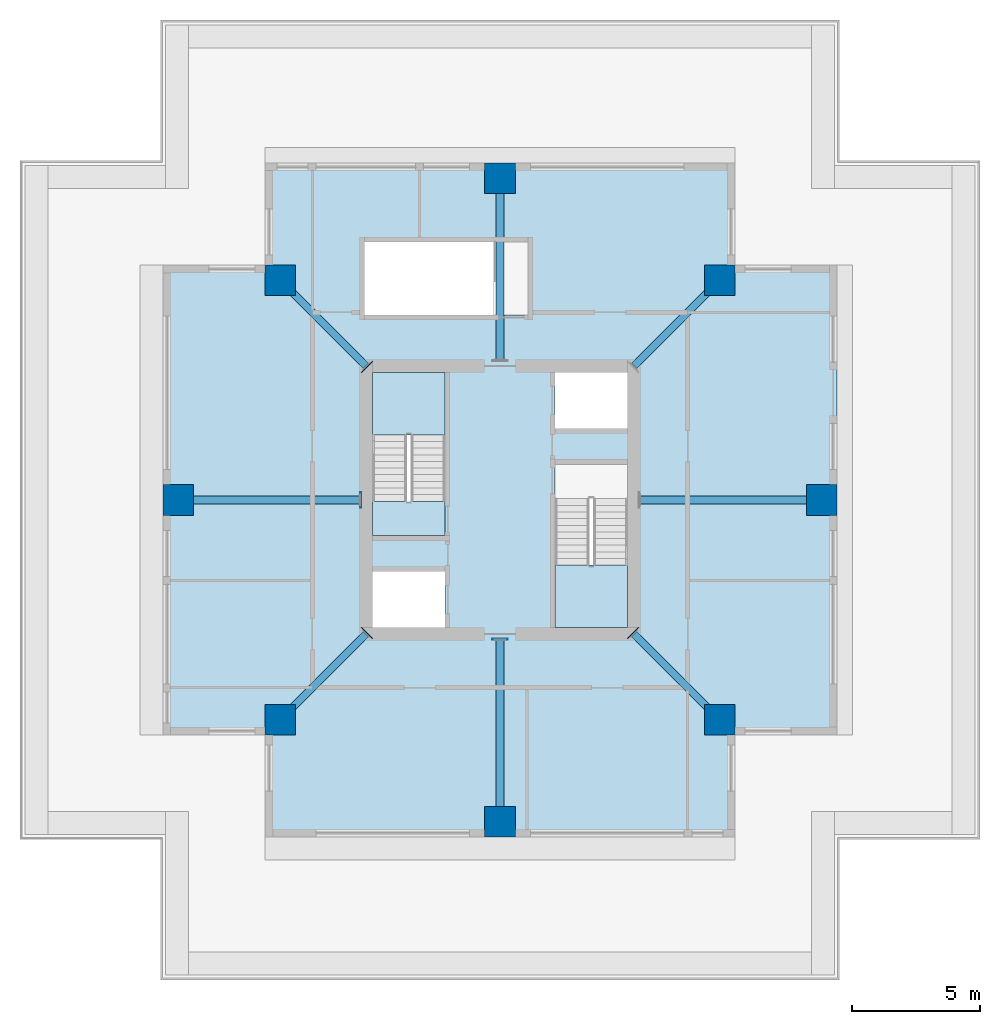
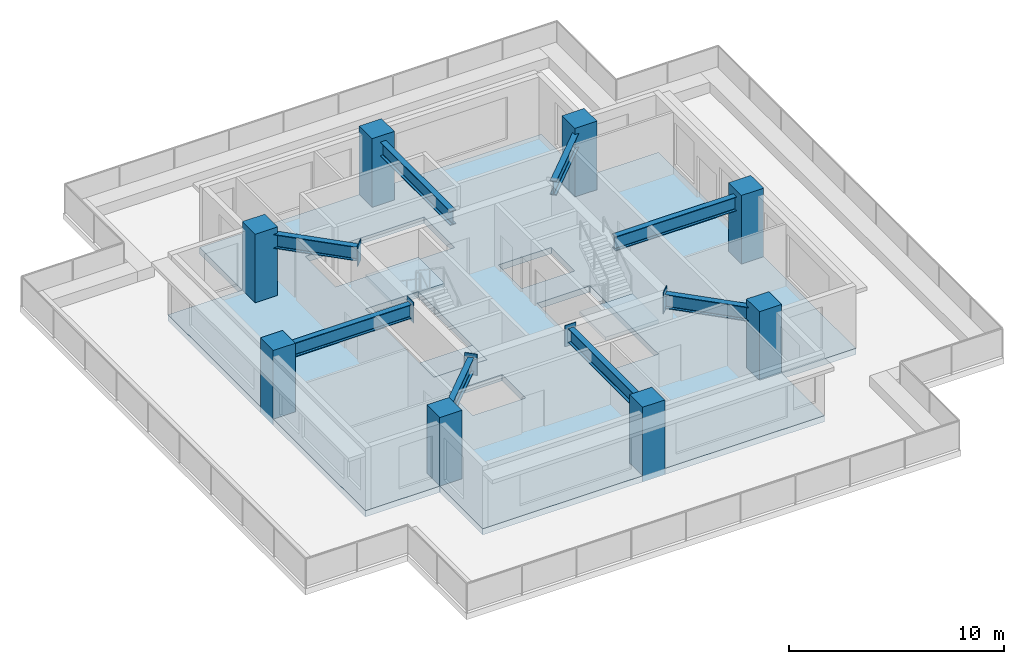
# One storey, part 1 of 8: 8 beams, 8 columns, 5 plates, 4 slabs, 2 elements without a shape of their own.
"""IFC4 building model written with IfcOpenShell, lengths in metres."""

import ifcopenshell
import ifcopenshell.guid

model = None  # the IFC model being written
_history = None  # IfcOwnerHistory: only IFC2X3 demands one
_inside = {}  # id of a spatial element -> (the spatial element, [elements in it])
_under = {}  # id of a project, library or spatial element -> (it, [spatial elements below it])
_declared = {}  # id of a project -> (the project, [libraries it declares])
_typed = {}  # id of a type object -> (the type object, [elements of that type])
_made_of = {}  # id of a material, layer set ... -> (it, [elements and type objects made of it])


def new_model(schema):
    """Start an empty IFC model of exactly this schema.

    Asked for "IFC4X3", IfcOpenShell would pick the latest addendum, in which some entities
    have other attributes; the version numbers below select the first issue.
    IFC2X3 requires an IfcOwnerHistory on every rooted entity: one is made here for all.
    """
    global model, _history
    if schema == "IFC4X3":
        model = ifcopenshell.file(schema_version=(4, 3, 0, 0))
    else:
        model = ifcopenshell.file(schema=schema)
    _inside.clear()
    _under.clear()
    _declared.clear()
    _typed.clear()
    _made_of.clear()
    _history = None
    if model.schema == "IFC2X3":
        org = make("IfcOrganization", Name="unknown")
        user = make(
            "IfcPersonAndOrganization",
            ThePerson=make("IfcPerson", FamilyName="unknown"),
            TheOrganization=org,
        )
        app = make(
            "IfcApplication",
            ApplicationDeveloper=org,
            Version="unknown",
            ApplicationFullName="unknown",
            ApplicationIdentifier="unknown",
        )
        _history = make(
            "IfcOwnerHistory",
            OwningUser=user,
            OwningApplication=app,
            ChangeAction="ADDED",
            CreationDate=0,
        )
    return model


def make(cls, **values):
    """One entity of the class cls with the attributes given. An attribute that is None is left unset."""
    return model.create_entity(
        cls, **{name: value for name, value in values.items() if value is not None}
    )


def rooted(cls, **values):
    """An entity with a GlobalId (a new one), such as an element, a storey or a relation."""
    return make(cls, GlobalId=ifcopenshell.guid.new(), OwnerHistory=_history, **values)


def si_unit(unit_type, name, prefix=None):
    """IfcSIUnit, for example si_unit("LENGTHUNIT", "METRE", prefix="MILLI")."""
    return make("IfcSIUnit", UnitType=unit_type, Prefix=prefix, Name=name)


def assignment(units):
    """IfcUnitAssignment: the units of a project."""
    return None if units is None else make("IfcUnitAssignment", Units=units)


def point(xyz):
    """IfcCartesianPoint."""
    return None if xyz is None else make("IfcCartesianPoint", Coordinates=xyz)


def direction(xyz):
    """IfcDirection."""
    return None if xyz is None else make("IfcDirection", DirectionRatios=xyz)


def frame(location, z_axis=None, x_axis=None):
    """IfcAxis2Placement3D, a coordinate frame: its origin and axes. An axis left out is left unset."""
    return make(
        "IfcAxis2Placement3D",
        Location=point(location),
        Axis=direction(z_axis),
        RefDirection=direction(x_axis),
    )


def frame_2d(location, x_axis=None):
    """IfcAxis2Placement2D, a coordinate frame in the plane: its origin and x axis."""
    return make(
        "IfcAxis2Placement2D", Location=point(location), RefDirection=direction(x_axis)
    )


def origin():
    """The frame at (0, 0, 0) with its axes left unset."""
    return frame((0.0, 0.0, 0.0))


def origin_2d():
    """The frame at (0, 0) in the plane with its x axis left unset."""
    return frame_2d((0.0, 0.0))


def place(relative_to, where):
    """IfcLocalPlacement: puts the frame where relative to a parent placement (None: the world)."""
    return make(
        "IfcLocalPlacement", PlacementRelTo=relative_to, RelativePlacement=where
    )


def context(
    kind, dimensions, precision=None, world=None, true_north=None, identifier=None
):
    """IfcGeometricRepresentationContext, for example the 3D "Model" context."""
    return make(
        "IfcGeometricRepresentationContext",
        ContextIdentifier=identifier,
        ContextType=kind,
        CoordinateSpaceDimension=dimensions,
        Precision=precision,
        WorldCoordinateSystem=world,
        TrueNorth=true_north,
    )


def subcontext(parent, identifier, kind, view, scale=None):
    """IfcGeometricRepresentationSubContext, for example "Body" below "Model"."""
    return make(
        "IfcGeometricRepresentationSubContext",
        ContextIdentifier=identifier,
        ContextType=kind,
        ParentContext=parent,
        TargetScale=scale,
        TargetView=view,
    )


def project(units=None, contexts=None):
    """IfcProject with its units and contexts."""
    return rooted(
        "IfcProject",
        Name="project",
        RepresentationContexts=contexts,
        UnitsInContext=assignment(units),
    )


def spatial(cls, under=None, at=None, **own):
    """A site, building, storey or space (cls), placed at a placement, below another one or the project."""
    s = rooted(cls, ObjectPlacement=at, **own)
    if under is not None:
        _under.setdefault(under.id(), (under, []))[1].append(s)
    return s


def polyline(points):
    """IfcPolyline through the points."""
    return make("IfcPolyline", Points=[point(p) for p in points])


def profile(cls, at=None, kind="AREA", **sizes):
    """A parametric profile (cls). Its sizes go by their IFC names, for example OverallWidth=200.0."""
    return make(cls, ProfileType=kind, Position=at, **sizes)


def rectangle(**sizes):
    """IfcRectangleProfileDef."""
    return profile("IfcRectangleProfileDef", **sizes)


def i_section(**sizes):
    """IfcIShapeProfileDef."""
    return profile("IfcIShapeProfileDef", **sizes)


def outline(outer, holes=None, kind="AREA"):
    """IfcArbitraryClosedProfileDef: a profile drawn as a closed curve; with holes, ...WithVoids."""
    if holes is None:
        return make("IfcArbitraryClosedProfileDef", ProfileType=kind, OuterCurve=outer)
    return make(
        "IfcArbitraryProfileDefWithVoids",
        ProfileType=kind,
        OuterCurve=outer,
        InnerCurves=holes,
    )


def extrude(swept, where, along, depth):
    """IfcExtrudedAreaSolid: the profile swept, set in the frame where, extruded along a direction by depth."""
    return make(
        "IfcExtrudedAreaSolid",
        SweptArea=swept,
        Position=where,
        ExtrudedDirection=direction(along),
        Depth=depth,
    )


def shape(context_of_items, identifier, shape_type, items):
    """IfcShapeRepresentation: the items that make up one representation, for example the "Body"."""
    return make(
        "IfcShapeRepresentation",
        ContextOfItems=context_of_items,
        RepresentationIdentifier=identifier,
        RepresentationType=shape_type,
        Items=items,
    )


def material(Name=None, Category=None):
    """IfcMaterial."""
    return make("IfcMaterial", Name=Name, Category=Category)


def layer(
    of_material, thickness, ventilated=None, Name=None, Category=None, Priority=None
):
    """IfcMaterialLayer: one layer of a wall or slab, of a material (None: an air gap)."""
    return make(
        "IfcMaterialLayer",
        Material=of_material,
        LayerThickness=thickness,
        IsVentilated=ventilated,
        Name=Name,
        Category=Category,
        Priority=Priority,
    )


def layer_set(layers, Name=None):
    """IfcMaterialLayerSet."""
    return make("IfcMaterialLayerSet", MaterialLayers=layers, LayerSetName=Name)


def material_profile(
    of_material, cross_section, Name=None, Category=None, Priority=None
):
    """IfcMaterialProfile: a cross section and its material."""
    return make(
        "IfcMaterialProfile",
        Name=Name,
        Material=of_material,
        Profile=cross_section,
        Priority=Priority,
        Category=Category,
    )


def profile_set(profiles, Name=None, composite=None):
    """IfcMaterialProfileSet."""
    return make(
        "IfcMaterialProfileSet",
        Name=Name,
        MaterialProfiles=profiles,
        CompositeProfile=composite,
    )


def made_of(thing, what):
    """Note that an element or type object is made of a material, layer set ...; save() writes the relation."""
    if what is not None:
        _made_of.setdefault(what.id(), (what, []))[1].append(thing)
    return thing


def type_object(cls, material=None, **own):
    """A type object (cls), such as IfcWallType, which elements share."""
    return made_of(rooted(cls, **own), material)


def element(
    cls,
    number,
    at=None,
    inside=None,
    cuts=None,
    type_object=None,
    material=None,
    context=None,
    identifier="Body",
    shape_type=None,
    held_by="IfcProductDefinitionShape",
    body=None,
    shapes=None,
    **own,
):
    """One element of the class cls, such as IfcWall. Its Tag is "e" and its number.

    at: its placement. inside: the storey or other place that contains it. cuts: it is an
    opening in that element (IfcRelVoidsElement). A single representation is given by context,
    identifier, shape_type and body (its items); several are given by shapes. held_by: the class
    of the entity that holds the representations. save() writes the other relations.
    """
    e = rooted(cls, Tag="e%d" % number, ObjectPlacement=at, **own)
    if body is not None:
        shapes = [shape(context, identifier, shape_type, body)]
    if shapes is not None:
        e.Representation = make(held_by, Representations=shapes)
    if inside is not None:
        _inside.setdefault(inside.id(), (inside, []))[1].append(e)
    if cuts is not None:
        rooted(
            "IfcRelVoidsElement", RelatingBuildingElement=cuts, RelatedOpeningElement=e
        )
    if type_object is not None:
        _typed.setdefault(type_object.id(), (type_object, []))[1].append(e)
    return made_of(e, material)


def aggregate(whole, parts):
    """IfcRelAggregates: a whole, such as a stair, and the parts it consists of."""
    return rooted("IfcRelAggregates", RelatingObject=whole, RelatedObjects=parts)


def save(model, path):
    """Write the relations noted so far, then the file.

    IfcRelAggregates (storeys below a building ...), IfcRelContainedInSpatialStructure (elements
    in a storey), IfcRelDefinesByType, IfcRelAssociatesMaterial and IfcRelDeclares: one each for
    every whole, place, type object, material and project.
    """
    for whole, parts in _under.values():
        aggregate(whole, parts)
    for where, things in _inside.values():
        rooted(
            "IfcRelContainedInSpatialStructure",
            RelatedElements=things,
            RelatingStructure=where,
        )
    for kind, things in _typed.values():
        rooted("IfcRelDefinesByType", RelatedObjects=things, RelatingType=kind)
    for what, things in _made_of.values():
        rooted("IfcRelAssociatesMaterial", RelatedObjects=things, RelatingMaterial=what)
    for by, libraries in _declared.values():
        rooted("IfcRelDeclares", RelatingContext=by, RelatedDefinitions=libraries)
    model.write(path)


model = new_model("IFC4")

# Units and contexts
model_context = context("Model", 3, precision=1e-05, world=origin(), true_north=direction((0.0, 1.0)))
body_context = subcontext(model_context, "Body", "Model", "MODEL_VIEW")
ifc_project = project(units=[si_unit("LENGTHUNIT", "METRE"), si_unit("AREAUNIT", "SQUARE_METRE"), si_unit("VOLUMEUNIT", "CUBIC_METRE"), si_unit("PLANEANGLEUNIT", "RADIAN"), si_unit("MASSUNIT", "GRAM", prefix="KILO")], contexts=[model_context])

# Site, building, storey
site_placement = place(None, origin())
site = spatial("IfcSite", under=ifc_project, at=site_placement, CompositionType="ELEMENT")
building_placement = place(site_placement, origin())
building = spatial("IfcBuilding", under=site, at=building_placement, Name="Khepri Terraces", CompositionType="ELEMENT")
storey_placement = place(building_placement, frame((0.0, 0.0, 312.300048828125)))
storey = spatial("IfcBuildingStorey", under=building, at=storey_placement, Name="L75", CompositionType="ELEMENT", Elevation=312.300048828125)

# Columns
ifc_material_1 = material(Name="Concrete C40/50", Category="concrete")
ifc_material_profile_1 = material_profile(ifc_material_1, rectangle(XDim=1.199951171875, YDim=1.199951171875, at=origin_2d()), Name="Concrete C40/50", Category="concrete")
ifc_profile_set_1 = profile_set([ifc_material_profile_1], Name="Concrete C40/50")
column_type = type_object("IfcColumnType", Name="Crown column RC 1200x1200 C40/50", PredefinedType="COLUMN", material=ifc_profile_set_1)
for number, where, z_axis, x_axis, name in (
    (1, (12.60009765625, 0.0, -0.35009765625), (0.0, 0.0, 1.0), (1.0, 0.0, 0.0), "Crown column CT3E L75"),
    (2, (8.60009765625, 8.60009765625, -0.35009765625), (0.0, 0.0, 1.0), (1.0, 0.0, 0.0), "Crown column CT3EN L75"),
    (3, (8.60009765625, -8.60009765625, -0.35009765625), (0.0, 0.0, 1.0), (1.0, 0.0, 0.0), "Crown column CT3ES L75"),
    (4, (0.0, 12.60009765625, -0.35009765625), (0.0, 0.0, 1.0), (1.0, 0.0, 0.0), "Crown column CT3N L75"),
    (5, (0.0, -12.60009765625, -0.35009765625), (0.0, 0.0, 1.0), (1.0, 0.0, 0.0), "Crown column CT3S L75"),
    (6, (-12.60009765625, 0.0, -0.35009765625), (0.0, 0.0, 1.0), (1.0, 0.0, 0.0), "Crown column CT3W L75"),
    (7, (-8.60009765625, 8.60009765625, -0.35009765625), (0.0, 0.0, 1.0), (1.0, 0.0, 0.0), "Crown column CT3WN L75"),
    (8, (-8.60009765625, -8.60009765625, -0.35009765625), (0.0, 0.0, 1.0), (1.0, 0.0, 0.0), "Crown column CT3WS L75"),
):
    element("IfcColumn", number, at=place(storey_placement, frame(where, z_axis=z_axis, x_axis=x_axis)), inside=storey, type_object=column_type, Name=name, PredefinedType="COLUMN", context=body_context, shape_type="SweptSolid", body=[
        extrude(rectangle(XDim=1.199951171875, YDim=1.199951171875, at=origin_2d()), origin(), (0.0, 0.0, 1.0), 4.25),
    ])

# Beams
ifc_material_2 = material(Name="Steel S355", Category="steel")
ifc_material_profile_2 = material_profile(ifc_material_2, i_section(OverallWidth=0.300048828125, OverallDepth=0.800048828125, WebThickness=0.017578125, FlangeThickness=0.032958984375, FilletRadius=0.030029296875, at=origin_2d()), Name="Steel S355", Category="steel")
ifc_profile_set_2 = profile_set([ifc_material_profile_2], Name="Steel S355")
beam_type = type_object("IfcBeamType", Name="Crown transfer girder HEB 800", PredefinedType="BEAM", material=ifc_profile_set_2)
for number, where, z_axis, x_axis, name in (
    (9, (0.0, -5.5, 3.14990234375), (0.0, -1.0, 0.0), (1.0, 0.0, 0.0), "Crown transfer girder CG-L75-S"),
    (10, (5.5, 0.0, 3.14990234375), (1.0, 0.0, 0.0), (0.0, 1.0, 0.0), "Crown transfer girder CG-L75-E"),
    (11, (0.0, 5.5, 3.14990234375), (0.0, 1.0, 0.0), (-1.0, 0.0, 0.0), "Crown transfer girder CG-L75-N"),
    (12, (-5.5, 0.0, 3.14990234375), (-1.0, 0.0, 0.0), (0.0, -1.0, 0.0), "Crown transfer girder CG-L75-W"),
):
    element("IfcBeam", number, at=place(storey_placement, frame(where, z_axis=z_axis, x_axis=x_axis)), inside=storey, type_object=beam_type, Name=name, PredefinedType="BEAM", context=body_context, shape_type="SweptSolid", body=[
        extrude(i_section(OverallWidth=0.300048828125, OverallDepth=0.800048828125, WebThickness=0.017578125, FlangeThickness=0.032958984375, FilletRadius=0.030029296875, at=origin_2d()), origin(), (0.0, 0.0, 1.0), 6.5),
    ])
for number, where, z_axis, x_axis, name in (
    (13, (5.25, 5.25, 3.14990234375), (0.707106781187, 0.707106781187, 0.0), (-0.707106781187, 0.707106781187, 0.0), "Crown transfer girder CG-L75-EN"),
    (14, (5.25, -5.25, 3.14990234375), (0.707106781187, -0.707106781187, 0.0), (0.707106781187, 0.707106781187, 0.0), "Crown transfer girder CG-L75-ES"),
    (15, (-5.25, 5.25, 3.14990234375), (-0.707106781187, 0.707106781187, 0.0), (-0.707106781187, -0.707106781187, 0.0), "Crown transfer girder CG-L75-WN"),
    (16, (-5.25, -5.25, 3.14990234375), (-0.707106781187, -0.707106781187, 0.0), (0.707106781187, -0.707106781187, 0.0), "Crown transfer girder CG-L75-WS"),
):
    element("IfcBeam", number, at=place(storey_placement, frame(where, z_axis=z_axis, x_axis=x_axis)), inside=storey, type_object=beam_type, Name=name, PredefinedType="BEAM", context=body_context, shape_type="SweptSolid", body=[
        extrude(i_section(OverallWidth=0.300048828125, OverallDepth=0.800048828125, WebThickness=0.017578125, FlangeThickness=0.032958984375, FilletRadius=0.030029296875, at=origin_2d()), origin(), (0.0, 0.0, 1.0), 4.437744140625),
    ])

# Plates
ifc_layer_1 = layer(ifc_material_2, 0.030029296875, Name="Steel S355", Category="steel")
ifc_layer_set_1 = layer_set([ifc_layer_1], Name="Steel S355")
plate_type = type_object("IfcPlateType", Name="Cast-in plate 1200x600x30", PredefinedType="USERDEFINED", material=ifc_layer_set_1)
for number, where, z_axis, x_axis, name in (
    (17, (0.0, -5.449951171875, 2.5498046875), (0.0, 0.0, 1.0), (0.0, -1.0, 0.0), "CAST-IN PLATE CG-L75-S MID wall A"),
    (18, (-5.449951171875, 0.0, 2.5498046875), (0.0, 0.0, 1.0), (-1.0, 0.0, 0.0), "CAST-IN PLATE CG-L75-W MID wall A"),
    (19, (5.214599609375, -5.214599609375, 2.5498046875), (0.0, 0.0, 1.0), (0.707106781187, -0.707106781187, 0.0), "CAST-IN PLATE CG-L75-ES MID wall A"),
    (20, (-5.214599609375, 5.214599609375, 2.5498046875), (0.0, 0.0, 1.0), (-0.707106781187, 0.707106781187, 0.0), "CAST-IN PLATE CG-L75-WN MID wall A"),
    (21, (-5.214599609375, -5.214599609375, 2.5498046875), (0.0, 0.0, 1.0), (-0.707106781187, -0.707106781187, 0.0), "CAST-IN PLATE CG-L75-WS MID wall A"),
):
    element("IfcPlate", number, at=place(storey_placement, frame(where, z_axis=z_axis, x_axis=x_axis)), inside=storey, type_object=plate_type, Name=name, ObjectType="CAST-IN PLATE", PredefinedType="USERDEFINED", context=body_context, shape_type="SweptSolid", body=[
        extrude(rectangle(XDim=0.030029296875, YDim=0.60009765625, at=origin_2d()), origin(), (0.0, 0.0, 1.0), 1.199951171875),
    ])

# Slab
ifc_layer_2 = layer(ifc_material_1, 0.35009765625, Name="Concrete C40/50", Category="concrete")
ifc_layer_set_2 = layer_set([ifc_layer_2], Name="Concrete C40/50")
slab_type_1 = type_object("IfcSlabType", Name="Crown floor slab 350", PredefinedType="FLOOR", material=ifc_layer_set_2)
slab_1_placement = place(storey_placement, frame((0.0, 0.0, -0.35009765625)))
element("IfcSlab", 22, at=slab_1_placement, inside=storey, type_object=slab_type_1, Name="Floor slab F01 L75", PredefinedType="FLOOR", context=body_context, shape_type="SweptSolid", body=[
    extrude(outline(polyline([(-13.199951171875, -9.199951171875), (-13.199951171875, 9.199951171875), (-9.199951171875, 9.199951171875), (-9.199951171875, 13.199951171875), (9.199951171875, 13.199951171875), (9.199951171875, 9.199951171875), (13.199951171875, 9.199951171875), (13.199951171875, -9.199951171875), (9.199951171875, -9.199951171875), (9.199951171875, -13.199951171875), (-9.199951171875, -13.199951171875), (-9.199951171875, -9.199951171875), (-13.199951171875, -9.199951171875)]), holes=[polyline([(5.0, 5.0), (2.14990234375, 5.0), (2.14990234375, 2.800048828125), (5.0, 2.800048828125), (5.0, 5.0)]), polyline([(-2.14990234375, -5.0), (-2.14990234375, -2.800048828125), (-5.0, -2.800048828125), (-5.0, -5.0), (-2.14990234375, -5.0)]), polyline([(-5.0, -1.39990234375), (-2.14990234375, -1.39990234375), (-2.14990234375, 5.0), (-5.0, 5.0), (-5.0, -1.39990234375)]), polyline([(5.0, -5.0), (5.0, 1.39990234375), (2.14990234375, 1.39990234375), (2.14990234375, -5.0), (5.0, -5.0)]), polyline([(-5.300048828125, 10.10009765625), (-5.300048828125, 7.25), (1.10009765625, 7.25), (1.10009765625, 10.10009765625), (-5.300048828125, 10.10009765625)])]), origin(), (0.0, 0.0, 1.0), 0.35009765625),
])

# Stair, slabs
stair_type = type_object("IfcStairType", Name="STAIR-RC-22R", PredefinedType="HALF_TURN_STAIR", material=ifc_material_1)
stair_1_placement = place(storey_placement, origin())
stair_1 = element("IfcStair", 23, at=stair_1_placement, inside=storey, type_object=stair_type, Name="L75 Exit Stair ST-1", PredefinedType="HALF_TURN_STAIR")
ifc_layer_3 = layer(ifc_material_1, 0.199951171875, Name="Concrete C40/50", Category="concrete")
ifc_layer_set_3 = layer_set([ifc_layer_3], Name="Concrete C40/50")
slab_type_2 = type_object("IfcSlabType", Name="SLB-CORE-LANDING", PredefinedType="LANDING", material=ifc_layer_set_3)
slab_2_placement = place(storey_placement, frame((0.0, 0.0, -0.199951171875)))
slab_2 = element("IfcSlab", 24, at=slab_2_placement, type_object=slab_type_2, Name="ST-1 landing 1", PredefinedType="LANDING", context=body_context, shape_type="SweptSolid", body=[
    extrude(outline(polyline([(-2.14990234375, -1.39990234375), (-2.14990234375, -0.050048828125), (-5.0, -0.050048828125), (-5.0, -1.39990234375), (-2.14990234375, -1.39990234375)])), origin(), (0.0, 0.0, 1.0), 0.199951171875),
])
slab_3_placement = place(storey_placement, frame((0.0, 0.0, 1.75)))
slab_3 = element("IfcSlab", 25, at=slab_3_placement, type_object=slab_type_2, Name="ST-1 landing 2", PredefinedType="LANDING", context=body_context, shape_type="SweptSolid", body=[
    extrude(outline(polyline([(-2.14990234375, 2.550048828125), (-2.14990234375, 5.0), (-5.0, 5.0), (-5.0, 2.550048828125), (-2.14990234375, 2.550048828125)])), origin(), (0.0, 0.0, 1.0), 0.199951171875),
])
aggregate(stair_1, [slab_2, slab_3])

# Stair, slab
stair_2_placement = place(storey_placement, origin())
stair_2 = element("IfcStair", 26, at=stair_2_placement, inside=storey, type_object=stair_type, Name="L75 Exit Stair ST-2", PredefinedType="HALF_TURN_STAIR")
slab_4_placement = place(storey_placement, frame((0.0, 0.0, 1.75)))
slab_4 = element("IfcSlab", 27, at=slab_4_placement, type_object=slab_type_2, Name="ST-2 landing 2", PredefinedType="LANDING", context=body_context, shape_type="SweptSolid", body=[
    extrude(outline(polyline([(2.14990234375, -2.550048828125), (2.14990234375, -5.0), (5.0, -5.0), (5.0, -2.550048828125), (2.14990234375, -2.550048828125)])), origin(), (0.0, 0.0, 1.0), 0.199951171875),
])
aggregate(stair_2, [slab_4])

save(model, "model.ifc")
